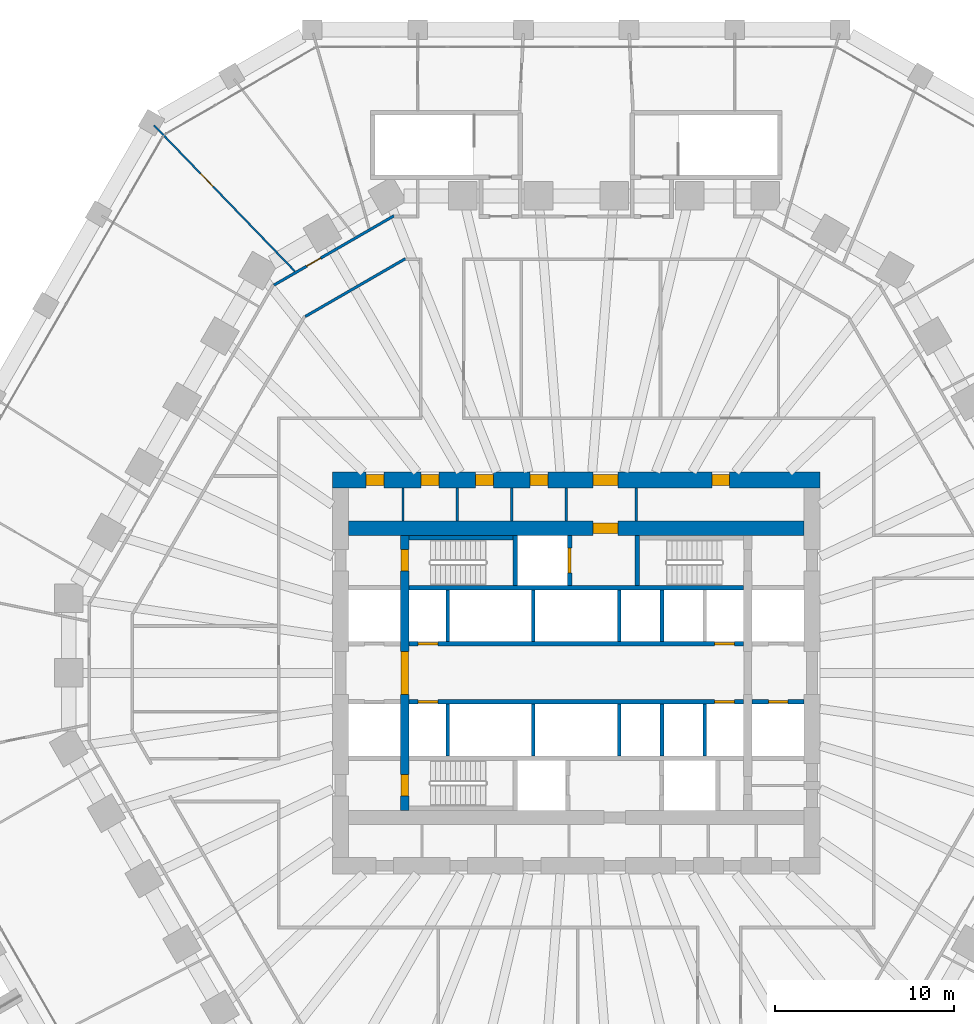
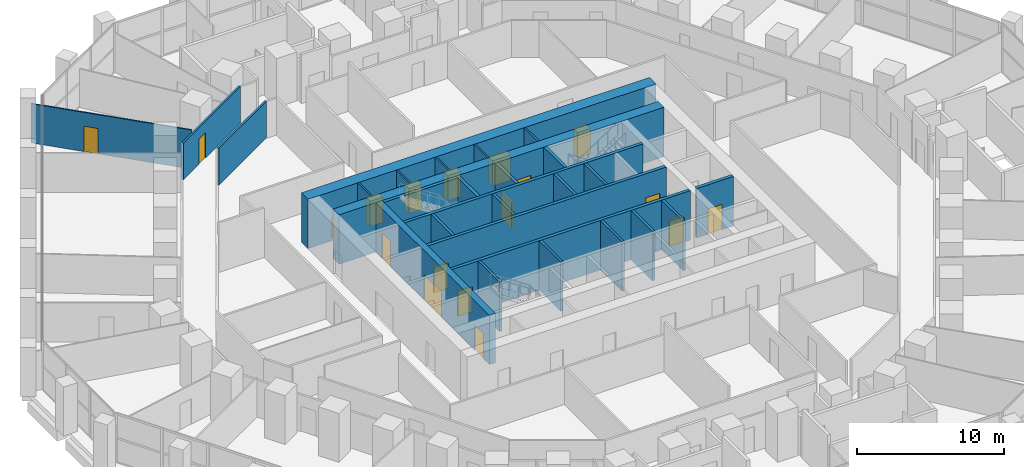
# One storey, part 22 of 38: 28 walls, 18 doors, 18 openings.
"""IFC4 building model written with IfcOpenShell, lengths in metres."""

from ifc_helpers import new_model, si_unit, direction, frame, frame_2d, origin, place, context, subcontext, project, spatial, rectangle, extrude, material, layer, layer_set, type_object, element, fill, save


model = new_model("IFC4")

# Units and contexts
model_context = context("Model", 3, precision=1e-05, world=origin(), true_north=direction((0.0, 1.0)))
body_context = subcontext(model_context, "Body", "Model", "MODEL_VIEW")
ifc_project = project(units=[si_unit("LENGTHUNIT", "METRE"), si_unit("AREAUNIT", "SQUARE_METRE"), si_unit("VOLUMEUNIT", "CUBIC_METRE"), si_unit("PLANEANGLEUNIT", "RADIAN"), si_unit("MASSUNIT", "GRAM", prefix="KILO")], contexts=[model_context])

# Site, building, storey
site_placement = place(None, origin())
site = spatial("IfcSite", under=ifc_project, at=site_placement, CompositionType="ELEMENT")
building_placement = place(site_placement, origin())
building = spatial("IfcBuilding", under=site, at=building_placement, Name="Frailejon Research Tower", CompositionType="ELEMENT")
storey_placement = place(building_placement, frame((0.0, 0.0, 10.199951171875)))
storey = spatial("IfcBuildingStorey", under=building, at=storey_placement, Name="L02", CompositionType="ELEMENT", Elevation=10.199951171875)

# Walls
ifc_material_1 = material(Name="Plasterboard on steel studs", Category="steel")
ifc_layer_1 = layer(ifc_material_1, 0.125)
ifc_layer_set_1 = layer_set([ifc_layer_1], Name="Core partition 125")
wall_type_1 = type_object("IfcWallType", Name="Core partition 125", PredefinedType="PARTITIONING", material=ifc_layer_set_1)
for number, where, z_axis, x_axis, name in (
    (1, (-9.703125, 8.5, 0.0), (0.0, 0.0, 1.0), (0.0, 1.0, 0.0), "Core partition"),
    (2, (-6.65625, 8.5, 0.0), (0.0, 0.0, 1.0), (0.0, 1.0, 0.0), "Core partition"),
    (3, (-3.609375, 8.5, 0.0), (0.0, 0.0, 1.0), (0.0, 1.0, 0.0), "Core partition"),
    (4, (-0.5625, 8.5, 0.0), (0.0, 0.0, 1.0), (0.0, 1.0, 0.0), "Core partition"),
    (5, (3.362548828125, 8.5, 0.0), (0.0, 0.0, 1.0), (0.0, 1.0, 0.0), "Core partition"),
):
    element("IfcWall", number, at=place(storey_placement, frame(where, z_axis=z_axis, x_axis=x_axis)), inside=storey, type_object=wall_type_1, Name=name, PredefinedType="PARTITIONING", context=body_context, shape_type="SweptSolid", body=[
        extrude(rectangle(XDim=1.85009765625, YDim=0.125, at=frame_2d((0.925048828125, 0.0))), origin(), (0.0, 0.0, 1.0), 4.10009765625),
    ])

# Wall, openings, doors
ifc_material_2 = material(Name="Concrete C70/85", Category="concrete")
ifc_layer_2 = layer(ifc_material_2, 0.5)
ifc_layer_set_2 = layer_set([ifc_layer_2], Name="Core shear wall 500 C70/85")
wall_type_2 = type_object("IfcWallType", Name="Core shear wall 500 C70/85", PredefinedType="SHEAR", material=ifc_layer_set_2)
wall_1_placement = place(storey_placement, frame((-9.60009765625, -7.699951171875, 0.0), z_axis=(0.0, 0.0, 1.0), x_axis=(0.0, 1.0, 0.0)))
wall_1 = element("IfcWall", 6, at=wall_1_placement, inside=storey, type_object=wall_type_2, Name="Core shear wall", PredefinedType="SHEAR", context=body_context, shape_type="SweptSolid", body=[
    extrude(rectangle(XDim=15.39990234375, YDim=0.5, at=frame_2d((7.699951171875, 0.0))), origin(), (0.0, 0.0, 1.0), 4.10009765625),
])
opening_1_placement = place(wall_1_placement, frame((6.5, 0.0, 0.0)))
opening_1 = element("IfcOpeningElement", 7, at=opening_1_placement, cuts=wall_1, Name="Opening D2", PredefinedType="OPENING", context=body_context, shape_type="SweptSolid", body=[
    extrude(rectangle(XDim=2.39990234375, YDim=2.10009765625, at=frame_2d((1.199951171875, 1.050048828125))), frame((0.0, 0.260009765625, 0.0), z_axis=(0.0, -1.0, 0.0), x_axis=(1.0, 0.0, 0.0)), (0.0, 0.0, 1.0), 0.52001953125),
])
opening_2_placement = place(wall_1_placement, frame((13.39990234375, 0.0, 0.0)))
opening_2 = element("IfcOpeningElement", 8, at=opening_2_placement, cuts=wall_1, Name="Opening D1", PredefinedType="OPENING", context=body_context, shape_type="SweptSolid", body=[
    extrude(rectangle(XDim=1.199951171875, YDim=2.10009765625, at=frame_2d((0.60009765625, 1.050048828125))), frame((0.0, 0.260009765625, 0.0), z_axis=(0.0, -1.0, 0.0), x_axis=(1.0, 0.0, 0.0)), (0.0, 0.0, 1.0), 0.52001953125),
])
opening_3_placement = place(wall_1_placement, frame((0.800048828125, 0.0, 0.0)))
opening_3 = element("IfcOpeningElement", 9, at=opening_3_placement, cuts=wall_1, Name="Opening D1", PredefinedType="OPENING", context=body_context, shape_type="SweptSolid", body=[
    extrude(rectangle(XDim=1.199951171875, YDim=2.10009765625, at=frame_2d((0.60009765625, 1.050048828125))), frame((0.0, 0.260009765625, 0.0), z_axis=(0.0, -1.0, 0.0), x_axis=(1.0, 0.0, 0.0)), (0.0, 0.0, 1.0), 0.52001953125),
])
ifc_material_3 = material(Name="Steel", Category="steel")
door_type_1 = type_object("IfcDoorType", Name="Lobby double door", OperationType="DOUBLE_DOOR_SINGLE_SWING", PredefinedType="DOOR", material=ifc_material_3)
door_1_placement = place(opening_1_placement, origin())
door_1 = element("IfcDoor", 10, at=door_1_placement, inside=storey, type_object=door_type_1, Name="Lobby door", OperationType="DOUBLE_DOOR_SINGLE_SWING", OverallHeight=2.10009765625, OverallWidth=2.39990234375, PredefinedType="DOOR", context=body_context, shape_type="SweptSolid", body=[
    extrude(rectangle(XDim=2.39990234375, YDim=2.10009765625, at=frame_2d((1.199951171875, 1.050048828125))), frame((0.0, 0.199951171875, 0.0), z_axis=(0.0, -1.0, 0.0), x_axis=(1.0, 0.0, 0.0)), (0.0, 0.0, 1.0), 0.39990234375),
])
fill(opening_1, door_1)
ifc_material_4 = material(Name="Steel", Category="steel")
door_type_2 = type_object("IfcDoorType", Name="Stair door", OperationType="SINGLE_SWING_LEFT", PredefinedType="DOOR", material=ifc_material_4)
door_2_placement = place(opening_2_placement, origin())
door_2 = element("IfcDoor", 11, at=door_2_placement, inside=storey, type_object=door_type_2, Name="Stair door ST1", OperationType="SINGLE_SWING_LEFT", OverallHeight=2.10009765625, OverallWidth=1.199951171875, PredefinedType="DOOR", context=body_context, shape_type="SweptSolid", body=[
    extrude(rectangle(XDim=1.199951171875, YDim=2.10009765625, at=frame_2d((0.60009765625, 1.050048828125))), frame((0.0, 0.199951171875, 0.0), z_axis=(0.0, -1.0, 0.0), x_axis=(1.0, 0.0, 0.0)), (0.0, 0.0, 1.0), 0.39990234375),
])
fill(opening_2, door_2)
door_3_placement = place(opening_3_placement, origin())
door_3 = element("IfcDoor", 12, at=door_3_placement, inside=storey, type_object=door_type_2, Name="Stair door ST2", OperationType="SINGLE_SWING_LEFT", OverallHeight=2.10009765625, OverallWidth=1.199951171875, PredefinedType="DOOR", context=body_context, shape_type="SweptSolid", body=[
    extrude(rectangle(XDim=1.199951171875, YDim=2.10009765625, at=frame_2d((0.60009765625, 1.050048828125))), frame((0.0, 0.199951171875, 0.0), z_axis=(0.0, -1.0, 0.0), x_axis=(1.0, 0.0, 0.0)), (0.0, 0.0, 1.0), 0.39990234375),
])
fill(opening_3, door_3)

# Wall, opening, door
ifc_material_5 = material(Name="Concrete C70/85", Category="concrete")
ifc_layer_3 = layer(ifc_material_5, 0.800048828125)
ifc_layer_set_3 = layer_set([ifc_layer_3], Name="Core shear wall 800 C70/85")
wall_type_3 = type_object("IfcWallType", Name="Core shear wall 800 C70/85", PredefinedType="SHEAR", material=ifc_layer_set_3)
wall_2_placement = place(storey_placement, frame((-12.75, 8.10009765625, 0.0), z_axis=(0.0, 0.0, 1.0), x_axis=(1.0, 0.0, 0.0)))
wall_2 = element("IfcWall", 13, at=wall_2_placement, inside=storey, type_object=wall_type_3, Name="Core shear wall", PredefinedType="SHEAR", context=body_context, shape_type="SweptSolid", body=[
    extrude(rectangle(XDim=25.5, YDim=0.800048828125, at=frame_2d((12.75, 0.0))), origin(), (0.0, 0.0, 1.0), 4.10009765625),
])
opening_4_placement = place(wall_2_placement, frame((13.675048828125, 0.0, 0.0)))
opening_4 = element("IfcOpeningElement", 14, at=opening_4_placement, cuts=wall_2, Name="Opening D9", PredefinedType="OPENING", context=body_context, shape_type="SweptSolid", body=[
    extrude(rectangle(XDim=1.39990234375, YDim=2.10009765625, at=frame_2d((0.699951171875, 1.050048828125))), frame((0.0, 0.409912109375, 0.0), z_axis=(0.0, -1.0, 0.0), x_axis=(1.0, 0.0, 0.0)), (0.0, 0.0, 1.0), 0.820068359375),
])
ifc_material_6 = material(Name="Steel", Category="steel")
door_type_3 = type_object("IfcDoorType", Name="Goods lobby door", OperationType="DOUBLE_DOOR_SINGLE_SWING", PredefinedType="DOOR", material=ifc_material_6)
door_4_placement = place(opening_4_placement, origin())
door_4 = element("IfcDoor", 15, at=door_4_placement, inside=storey, type_object=door_type_3, Name="Goods lobby door", OperationType="DOUBLE_DOOR_SINGLE_SWING", OverallHeight=2.10009765625, OverallWidth=1.39990234375, PredefinedType="DOOR", context=body_context, shape_type="SweptSolid", body=[
    extrude(rectangle(XDim=1.39990234375, YDim=2.10009765625, at=frame_2d((0.699951171875, 1.050048828125))), frame((0.0, 0.300048828125, 0.0), z_axis=(0.0, -1.0, 0.0), x_axis=(1.0, 0.0, 0.0)), (0.0, 0.0, 1.0), 0.60009765625),
])
fill(opening_4, door_4)

# Wall, openings, doors
ifc_material_7 = material(Name="Concrete C70/85", Category="concrete")
ifc_layer_4 = layer(ifc_material_7, 0.89990234375)
ifc_layer_set_4 = layer_set([ifc_layer_4], Name="Core shear wall 900 C70/85")
wall_type_4 = type_object("IfcWallType", Name="Core shear wall 900 C70/85", PredefinedType="SHEAR", material=ifc_layer_set_4)
wall_3_placement = place(storey_placement, frame((-13.64990234375, 10.800048828125, 0.0), z_axis=(0.0, 0.0, 1.0), x_axis=(1.0, 0.0, 0.0)))
wall_3 = element("IfcWall", 16, at=wall_3_placement, inside=storey, type_object=wall_type_4, Name="Core shear wall", PredefinedType="SHEAR", context=body_context, shape_type="SweptSolid", body=[
    extrude(rectangle(XDim=27.2998046875, YDim=0.89990234375, at=frame_2d((13.64990234375, 0.0))), origin(), (0.0, 0.0, 1.0), 4.10009765625),
])
opening_5_placement = place(wall_3_placement, frame((1.89208984375, 0.0, 0.0)))
opening_5 = element("IfcOpeningElement", 17, at=opening_5_placement, cuts=wall_3, Name="Opening D4", PredefinedType="OPENING", context=body_context, shape_type="SweptSolid", body=[
    extrude(rectangle(XDim=1.0, YDim=2.10009765625, at=frame_2d((0.5, 1.050048828125))), frame((0.0, 0.4599609375, 0.0), z_axis=(0.0, -1.0, 0.0), x_axis=(1.0, 0.0, 0.0)), (0.0, 0.0, 1.0), 0.919921875),
])
opening_6_placement = place(wall_3_placement, frame((4.97021484375, 0.0, 0.0)))
opening_6 = element("IfcOpeningElement", 18, at=opening_6_placement, cuts=wall_3, Name="Opening D4", PredefinedType="OPENING", context=body_context, shape_type="SweptSolid", body=[
    extrude(rectangle(XDim=1.0, YDim=2.10009765625, at=frame_2d((0.5, 1.050048828125))), frame((0.0, 0.4599609375, 0.0), z_axis=(0.0, -1.0, 0.0), x_axis=(1.0, 0.0, 0.0)), (0.0, 0.0, 1.0), 0.919921875),
])
opening_7_placement = place(wall_3_placement, frame((8.01708984375, 0.0, 0.0)))
opening_7 = element("IfcOpeningElement", 19, at=opening_7_placement, cuts=wall_3, Name="Opening D4", PredefinedType="OPENING", context=body_context, shape_type="SweptSolid", body=[
    extrude(rectangle(XDim=1.0, YDim=2.10009765625, at=frame_2d((0.5, 1.050048828125))), frame((0.0, 0.4599609375, 0.0), z_axis=(0.0, -1.0, 0.0), x_axis=(1.0, 0.0, 0.0)), (0.0, 0.0, 1.0), 0.919921875),
])
opening_8_placement = place(wall_3_placement, frame((11.064208984375, 0.0, 0.0)))
opening_8 = element("IfcOpeningElement", 20, at=opening_8_placement, cuts=wall_3, Name="Opening D4", PredefinedType="OPENING", context=body_context, shape_type="SweptSolid", body=[
    extrude(rectangle(XDim=1.0, YDim=2.10009765625, at=frame_2d((0.5, 1.050048828125))), frame((0.0, 0.4599609375, 0.0), z_axis=(0.0, -1.0, 0.0), x_axis=(1.0, 0.0, 0.0)), (0.0, 0.0, 1.0), 0.919921875),
])
opening_9_placement = place(wall_3_placement, frame((21.237548828125, 0.0, 0.0)))
opening_9 = element("IfcOpeningElement", 21, at=opening_9_placement, cuts=wall_3, Name="Opening D4", PredefinedType="OPENING", context=body_context, shape_type="SweptSolid", body=[
    extrude(rectangle(XDim=1.0, YDim=2.10009765625, at=frame_2d((0.5, 1.050048828125))), frame((0.0, 0.4599609375, 0.0), z_axis=(0.0, -1.0, 0.0), x_axis=(1.0, 0.0, 0.0)), (0.0, 0.0, 1.0), 0.919921875),
])
opening_10_placement = place(wall_3_placement, frame((14.574951171875, 0.0, 0.0)))
opening_10 = element("IfcOpeningElement", 22, at=opening_10_placement, cuts=wall_3, Name="Opening D9", PredefinedType="OPENING", context=body_context, shape_type="SweptSolid", body=[
    extrude(rectangle(XDim=1.39990234375, YDim=2.10009765625, at=frame_2d((0.699951171875, 1.050048828125))), frame((0.0, 0.4599609375, 0.0), z_axis=(0.0, -1.0, 0.0), x_axis=(1.0, 0.0, 0.0)), (0.0, 0.0, 1.0), 0.919921875),
])
door_5_placement = place(opening_10_placement, origin())
door_5 = element("IfcDoor", 23, at=door_5_placement, inside=storey, type_object=door_type_3, Name="Passage door", OperationType="DOUBLE_DOOR_SINGLE_SWING", OverallHeight=2.10009765625, OverallWidth=1.39990234375, PredefinedType="DOOR", context=body_context, shape_type="SweptSolid", body=[
    extrude(rectangle(XDim=1.39990234375, YDim=2.10009765625, at=frame_2d((0.699951171875, 1.050048828125))), frame((0.0, 0.300048828125, 0.0), z_axis=(0.0, -1.0, 0.0), x_axis=(1.0, 0.0, 0.0)), (0.0, 0.0, 1.0), 0.60009765625),
])
fill(opening_10, door_5)
ifc_material_8 = material(Name="Steel", Category="steel")
door_type_4 = type_object("IfcDoorType", Name="Service door", OperationType="SINGLE_SWING_LEFT", PredefinedType="DOOR", material=ifc_material_8)
door_6_placement = place(opening_5_placement, origin())
door_6 = element("IfcDoor", 24, at=door_6_placement, inside=storey, type_object=door_type_4, Name="Room door", OperationType="SINGLE_SWING_RIGHT", OverallHeight=2.10009765625, OverallWidth=1.0, PredefinedType="DOOR", context=body_context, shape_type="SweptSolid", body=[
    extrude(rectangle(XDim=1.0, YDim=2.10009765625, at=frame_2d((0.5, 1.050048828125))), frame((0.0, 0.300048828125, 0.0), z_axis=(0.0, -1.0, 0.0), x_axis=(1.0, 0.0, 0.0)), (0.0, 0.0, 1.0), 0.60009765625),
])
fill(opening_5, door_6)
door_7_placement = place(opening_6_placement, origin())
door_7 = element("IfcDoor", 25, at=door_7_placement, inside=storey, type_object=door_type_4, Name="Room door", OperationType="SINGLE_SWING_LEFT", OverallHeight=2.10009765625, OverallWidth=1.0, PredefinedType="DOOR", context=body_context, shape_type="SweptSolid", body=[
    extrude(rectangle(XDim=1.0, YDim=2.10009765625, at=frame_2d((0.5, 1.050048828125))), frame((0.0, 0.300048828125, 0.0), z_axis=(0.0, -1.0, 0.0), x_axis=(1.0, 0.0, 0.0)), (0.0, 0.0, 1.0), 0.60009765625),
])
fill(opening_6, door_7)
door_8_placement = place(opening_7_placement, origin())
door_8 = element("IfcDoor", 26, at=door_8_placement, inside=storey, type_object=door_type_4, Name="Room door", OperationType="SINGLE_SWING_RIGHT", OverallHeight=2.10009765625, OverallWidth=1.0, PredefinedType="DOOR", context=body_context, shape_type="SweptSolid", body=[
    extrude(rectangle(XDim=1.0, YDim=2.10009765625, at=frame_2d((0.5, 1.050048828125))), frame((0.0, 0.300048828125, 0.0), z_axis=(0.0, -1.0, 0.0), x_axis=(1.0, 0.0, 0.0)), (0.0, 0.0, 1.0), 0.60009765625),
])
fill(opening_7, door_8)
door_9_placement = place(opening_8_placement, origin())
door_9 = element("IfcDoor", 27, at=door_9_placement, inside=storey, type_object=door_type_4, Name="Room door", OperationType="SINGLE_SWING_LEFT", OverallHeight=2.10009765625, OverallWidth=1.0, PredefinedType="DOOR", context=body_context, shape_type="SweptSolid", body=[
    extrude(rectangle(XDim=1.0, YDim=2.10009765625, at=frame_2d((0.5, 1.050048828125))), frame((0.0, 0.300048828125, 0.0), z_axis=(0.0, -1.0, 0.0), x_axis=(1.0, 0.0, 0.0)), (0.0, 0.0, 1.0), 0.60009765625),
])
fill(opening_8, door_9)
door_10_placement = place(opening_9_placement, origin())
door_10 = element("IfcDoor", 28, at=door_10_placement, inside=storey, type_object=door_type_4, Name="Room door", OperationType="SINGLE_SWING_RIGHT", OverallHeight=2.10009765625, OverallWidth=1.0, PredefinedType="DOOR", context=body_context, shape_type="SweptSolid", body=[
    extrude(rectangle(XDim=1.0, YDim=2.10009765625, at=frame_2d((0.5, 1.050048828125))), frame((0.0, 0.300048828125, 0.0), z_axis=(0.0, -1.0, 0.0), x_axis=(1.0, 0.0, 0.0)), (0.0, 0.0, 1.0), 0.60009765625),
])
fill(opening_9, door_10)

# Wall, opening, door
ifc_material_9 = material(Name="Gypsum board and masonry partition", Category="masonry")
ifc_layer_5 = layer(ifc_material_9, 0.14990234375)
ifc_layer_set_5 = layer_set([ifc_layer_5], Name="Corridor wall EI 60, gypsum on steel studs 150")
wall_type_5 = type_object("IfcWallType", Name="Corridor wall EI 60, gypsum on steel studs 150", PredefinedType="PARTITIONING", material=ifc_layer_set_5)
wall_4_placement = place(storey_placement, frame((-16.926025390625, 21.7080078125, 0.0), z_axis=(0.0, 0.0, 1.0), x_axis=(0.866023143435, 0.50000391502, 0.0)))
wall_4 = element("IfcWall", 29, at=wall_4_placement, inside=storey, type_object=wall_type_5, Name="T:IW:L02:017", PredefinedType="PARTITIONING", context=body_context, shape_type="SweptSolid", body=[
    extrude(rectangle(XDim=7.7587890625, YDim=0.14990234375, at=frame_2d((3.87939453125, 0.0))), origin(), (0.0, 0.0, 1.0), 3.050048828125),
])
opening_11_placement = place(wall_4_placement, frame((2.116943359375, 0.0, 0.0)))
opening_11 = element("IfcOpeningElement", 30, at=opening_11_placement, cuts=wall_4, Name="Opening D1071", PredefinedType="OPENING", context=body_context, shape_type="SweptSolid", body=[
    extrude(rectangle(XDim=0.89990234375, YDim=2.10009765625, at=frame_2d((0.449951171875, 1.050048828125))), frame((0.0, 0.0849609375, 0.0), z_axis=(0.0, -1.0, 0.0), x_axis=(1.0, 0.0, 0.0)), (0.0, 0.0, 1.0), 0.169921875),
])
ifc_material_10 = material(Name="Timber door leaf", Category="wood")
door_type_5 = type_object("IfcDoorType", Name="Door single leaf, timber, steel frame 900", OperationType="NOTDEFINED", PredefinedType="DOOR", material=ifc_material_10)
door_11_placement = place(opening_11_placement, origin())
door_11 = element("IfcDoor", 31, at=door_11_placement, inside=storey, type_object=door_type_5, Name="D1071", OperationType="SINGLE_SWING_RIGHT", OverallHeight=2.10009765625, OverallWidth=0.89990234375, PredefinedType="DOOR", context=body_context, shape_type="SweptSolid", body=[
    extrude(rectangle(XDim=0.89990234375, YDim=2.10009765625, at=frame_2d((0.449951171875, 1.050048828125))), frame((0.0, 0.02490234375, 0.0), z_axis=(0.0, -1.0, 0.0), x_axis=(1.0, 0.0, 0.0)), (0.0, 0.0, 1.0), 0.050048828125),
])
fill(opening_11, door_11)

# Wall
wall_5_placement = place(storey_placement, frame((-15.169189453125, 19.951171875, 0.0), z_axis=(0.0, 0.0, 1.0), x_axis=(0.866024786089, 0.500001069878, 0.0)))
element("IfcWall", 32, at=wall_5_placement, inside=storey, type_object=wall_type_5, Name="T:IW:L02:020", PredefinedType="PARTITIONING", context=body_context, shape_type="SweptSolid", body=[
    extrude(rectangle(XDim=6.47265625, YDim=0.14990234375, at=frame_2d((3.236328125, 0.0))), origin(), (0.0, 0.0, 1.0), 3.050048828125),
])

# Wall, opening, door
ifc_material_11 = material(Name="Gypsum board and masonry partition", Category="masonry")
ifc_layer_6 = layer(ifc_material_11, 0.10009765625)
ifc_layer_set_6 = layer_set([ifc_layer_6], Name="Partition, gypsum on steel studs 100")
wall_type_6 = type_object("IfcWallType", Name="Partition, gypsum on steel studs 100", PredefinedType="PARTITIONING", material=ifc_layer_set_6)
wall_6_placement = place(storey_placement, frame((-23.64013671875, 30.654052734375, 0.0), z_axis=(0.0, 0.0, 1.0), x_axis=(0.694530893364, -0.719462881713, 0.0)))
wall_6 = element("IfcWall", 33, at=wall_6_placement, inside=storey, type_object=wall_type_6, Name="T:IW:L02:091", PredefinedType="PARTITIONING", context=body_context, shape_type="SweptSolid", body=[
    extrude(rectangle(XDim=11.368896484375, YDim=0.10009765625, at=frame_2d((5.6845703125, 0.0))), origin(), (0.0, 0.0, 1.0), 3.25),
])
opening_12_placement = place(wall_6_placement, frame((3.760498046875, 0.0, 0.0)))
opening_12 = element("IfcOpeningElement", 34, at=opening_12_placement, cuts=wall_6, Name="Opening D1073", PredefinedType="OPENING", context=body_context, shape_type="SweptSolid", body=[
    extrude(rectangle(XDim=1.0, YDim=2.10009765625, at=frame_2d((0.5, 1.050048828125))), frame((0.0, 0.06005859375, 0.0), z_axis=(0.0, -1.0, 0.0), x_axis=(1.0, 0.0, 0.0)), (0.0, 0.0, 1.0), 0.1201171875),
])
ifc_material_12 = material(Name="Timber door leaf", Category="wood")
door_type_6 = type_object("IfcDoorType", Name="Door single leaf, timber, steel frame 1000", OperationType="NOTDEFINED", PredefinedType="DOOR", material=ifc_material_12)
door_12_placement = place(opening_12_placement, origin())
door_12 = element("IfcDoor", 35, at=door_12_placement, inside=storey, type_object=door_type_6, Name="D1073", OperationType="SINGLE_SWING_RIGHT", OverallHeight=2.10009765625, OverallWidth=1.0, PredefinedType="DOOR", context=body_context, shape_type="SweptSolid", body=[
    extrude(rectangle(XDim=1.0, YDim=2.10009765625, at=frame_2d((0.5, 1.050048828125))), frame((0.0, 0.02490234375, 0.0), z_axis=(0.0, -1.0, 0.0), x_axis=(1.0, 0.0, 0.0)), (0.0, 0.0, 1.0), 0.050048828125),
])
fill(opening_12, door_12)

# Walls
ifc_material_13 = material(Name="Concrete C70/85", Category="concrete")
ifc_layer_7 = layer(ifc_material_13, 0.199951171875)
ifc_layer_set_7 = layer_set([ifc_layer_7], Name="Shaft wall 200 C70/85")
wall_type_7 = type_object("IfcWallType", Name="Shaft wall 200 C70/85", PredefinedType="SOLIDWALL", material=ifc_layer_set_7)
for number, where, z_axis, x_axis, name in (
    (36, (-7.199951171875, 1.75, 0.0), (0.0, 0.0, 1.0), (0.0, 1.0, 0.0), "Shaft wall"),
    (37, (-2.39990234375, 1.75, 0.0), (0.0, 0.0, 1.0), (0.0, 1.0, 0.0), "Shaft wall"),
    (38, (2.39990234375, 1.75, 0.0), (0.0, 0.0, 1.0), (0.0, 1.0, 0.0), "Shaft wall"),
    (39, (4.800048828125, 1.75, 0.0), (0.0, 0.0, 1.0), (0.0, 1.0, 0.0), "Shaft wall"),
    (40, (-7.199951171875, -4.64990234375, 0.0), (0.0, 0.0, 1.0), (0.0, 1.0, 0.0), "Shaft wall"),
    (41, (-2.39990234375, -4.64990234375, 0.0), (0.0, 0.0, 1.0), (0.0, 1.0, 0.0), "Shaft wall"),
    (42, (2.39990234375, -4.64990234375, 0.0), (0.0, 0.0, 1.0), (0.0, 1.0, 0.0), "Shaft wall"),
    (43, (4.800048828125, -4.64990234375, 0.0), (0.0, 0.0, 1.0), (0.0, 1.0, 0.0), "Shaft wall"),
    (44, (7.199951171875, -4.64990234375, 0.0), (0.0, 0.0, 1.0), (0.0, 1.0, 0.0), "Shaft wall"),
):
    element("IfcWall", number, at=place(storey_placement, frame(where, z_axis=z_axis, x_axis=x_axis)), inside=storey, type_object=wall_type_7, Name=name, PredefinedType="SOLIDWALL", context=body_context, shape_type="SweptSolid", body=[
        extrude(rectangle(XDim=2.89990234375, YDim=0.199951171875, at=frame_2d((1.449951171875, 0.0))), origin(), (0.0, 0.0, 1.0), 4.10009765625),
    ])

# Wall, openings, doors
ifc_material_14 = material(Name="Concrete C70/85", Category="concrete")
ifc_layer_8 = layer(ifc_material_14, 0.25)
ifc_layer_set_8 = layer_set([ifc_layer_8], Name="Shaft wall 250 C70/85")
wall_type_8 = type_object("IfcWallType", Name="Shaft wall 250 C70/85", PredefinedType="SOLIDWALL", material=ifc_layer_set_8)
wall_7_placement = place(storey_placement, frame((-9.35009765625, 1.625, 0.0), z_axis=(0.0, 0.0, 1.0), x_axis=(1.0, 0.0, 0.0)))
wall_7 = element("IfcWall", 45, at=wall_7_placement, inside=storey, type_object=wall_type_8, Name="Shaft wall", PredefinedType="SOLIDWALL", context=body_context, shape_type="SweptSolid", body=[
    extrude(rectangle(XDim=18.7001953125, YDim=0.25, at=frame_2d((9.35009765625, 0.0))), origin(), (0.0, 0.0, 1.0), 4.10009765625),
])
opening_13_placement = place(wall_7_placement, frame((0.5, 0.0, 0.0)))
opening_13 = element("IfcOpeningElement", 46, at=opening_13_placement, cuts=wall_7, Name="Opening LD", PredefinedType="OPENING", context=body_context, shape_type="SweptSolid", body=[
    extrude(rectangle(XDim=1.10009765625, YDim=2.10009765625, at=frame_2d((0.550048828125, 1.050048828125))), frame((0.0, 0.135009765625, 0.0), z_axis=(0.0, -1.0, 0.0), x_axis=(1.0, 0.0, 0.0)), (0.0, 0.0, 1.0), 0.27001953125),
])
opening_14_placement = place(wall_7_placement, frame((17.10009765625, 0.0, 0.0)))
opening_14 = element("IfcOpeningElement", 47, at=opening_14_placement, cuts=wall_7, Name="Opening LD", PredefinedType="OPENING", context=body_context, shape_type="SweptSolid", body=[
    extrude(rectangle(XDim=1.10009765625, YDim=2.10009765625, at=frame_2d((0.550048828125, 1.050048828125))), frame((0.0, 0.135009765625, 0.0), z_axis=(0.0, -1.0, 0.0), x_axis=(1.0, 0.0, 0.0)), (0.0, 0.0, 1.0), 0.27001953125),
])
ifc_material_15 = material(Name="Steel", Category="steel")
door_type_7 = type_object("IfcDoorType", Name="Lift landing door", OperationType="DOUBLE_DOOR_SLIDING", PredefinedType="DOOR", material=ifc_material_15)
door_13_placement = place(opening_13_placement, origin())
door_13 = element("IfcDoor", 48, at=door_13_placement, inside=storey, type_object=door_type_7, Name="Lift landing door", OperationType="DOUBLE_DOOR_SLIDING", OverallHeight=2.10009765625, OverallWidth=1.10009765625, PredefinedType="DOOR", context=body_context, shape_type="SweptSolid", body=[
    extrude(rectangle(XDim=1.10009765625, YDim=2.10009765625, at=frame_2d((0.550048828125, 1.050048828125))), frame((0.0, 0.074951171875, 0.0), z_axis=(0.0, -1.0, 0.0), x_axis=(1.0, 0.0, 0.0)), (0.0, 0.0, 1.0), 0.14990234375),
])
fill(opening_13, door_13)
door_14_placement = place(opening_14_placement, origin())
door_14 = element("IfcDoor", 49, at=door_14_placement, inside=storey, type_object=door_type_7, Name="Lift landing door", OperationType="DOUBLE_DOOR_SLIDING", OverallHeight=2.10009765625, OverallWidth=1.10009765625, PredefinedType="DOOR", context=body_context, shape_type="SweptSolid", body=[
    extrude(rectangle(XDim=1.10009765625, YDim=2.10009765625, at=frame_2d((0.550048828125, 1.050048828125))), frame((0.0, 0.074951171875, 0.0), z_axis=(0.0, -1.0, 0.0), x_axis=(1.0, 0.0, 0.0)), (0.0, 0.0, 1.0), 0.14990234375),
])
fill(opening_14, door_14)

# Wall
wall_8_placement = place(storey_placement, frame((-9.35009765625, 4.77490234375, 0.0), z_axis=(0.0, 0.0, 1.0), x_axis=(1.0, 0.0, 0.0)))
element("IfcWall", 50, at=wall_8_placement, inside=storey, type_object=wall_type_8, Name="Shaft wall", PredefinedType="SOLIDWALL", context=body_context, shape_type="SweptSolid", body=[
    extrude(rectangle(XDim=18.7001953125, YDim=0.25, at=frame_2d((9.35009765625, 0.0))), origin(), (0.0, 0.0, 1.0), 4.10009765625),
])

# Wall, openings, doors
wall_9_placement = place(storey_placement, frame((-9.35009765625, -1.625, 0.0), z_axis=(0.0, 0.0, 1.0), x_axis=(1.0, 0.0, 0.0)))
wall_9 = element("IfcWall", 51, at=wall_9_placement, inside=storey, type_object=wall_type_8, Name="Shaft wall", PredefinedType="SOLIDWALL", context=body_context, shape_type="SweptSolid", body=[
    extrude(rectangle(XDim=18.7001953125, YDim=0.25, at=frame_2d((9.35009765625, 0.0))), origin(), (0.0, 0.0, 1.0), 4.10009765625),
])
opening_15_placement = place(wall_9_placement, frame((0.5, 0.0, 0.0)))
opening_15 = element("IfcOpeningElement", 52, at=opening_15_placement, cuts=wall_9, Name="Opening LD", PredefinedType="OPENING", context=body_context, shape_type="SweptSolid", body=[
    extrude(rectangle(XDim=1.10009765625, YDim=2.10009765625, at=frame_2d((0.550048828125, 1.050048828125))), frame((0.0, 0.135009765625, 0.0), z_axis=(0.0, -1.0, 0.0), x_axis=(1.0, 0.0, 0.0)), (0.0, 0.0, 1.0), 0.27001953125),
])
opening_16_placement = place(wall_9_placement, frame((17.10009765625, 0.0, 0.0)))
opening_16 = element("IfcOpeningElement", 53, at=opening_16_placement, cuts=wall_9, Name="Opening LD", PredefinedType="OPENING", context=body_context, shape_type="SweptSolid", body=[
    extrude(rectangle(XDim=1.10009765625, YDim=2.10009765625, at=frame_2d((0.550048828125, 1.050048828125))), frame((0.0, 0.135009765625, 0.0), z_axis=(0.0, -1.0, 0.0), x_axis=(1.0, 0.0, 0.0)), (0.0, 0.0, 1.0), 0.27001953125),
])
door_15_placement = place(opening_15_placement, origin())
door_15 = element("IfcDoor", 54, at=door_15_placement, inside=storey, type_object=door_type_7, Name="Lift landing door", OperationType="DOUBLE_DOOR_SLIDING", OverallHeight=2.10009765625, OverallWidth=1.10009765625, PredefinedType="DOOR", context=body_context, shape_type="SweptSolid", body=[
    extrude(rectangle(XDim=1.10009765625, YDim=2.10009765625, at=frame_2d((0.550048828125, 1.050048828125))), frame((0.0, 0.074951171875, 0.0), z_axis=(0.0, -1.0, 0.0), x_axis=(1.0, 0.0, 0.0)), (0.0, 0.0, 1.0), 0.14990234375),
])
fill(opening_15, door_15)
door_16_placement = place(opening_16_placement, origin())
door_16 = element("IfcDoor", 55, at=door_16_placement, inside=storey, type_object=door_type_7, Name="Lift landing door", OperationType="DOUBLE_DOOR_SLIDING", OverallHeight=2.10009765625, OverallWidth=1.10009765625, PredefinedType="DOOR", context=body_context, shape_type="SweptSolid", body=[
    extrude(rectangle(XDim=1.10009765625, YDim=2.10009765625, at=frame_2d((0.550048828125, 1.050048828125))), frame((0.0, 0.074951171875, 0.0), z_axis=(0.0, -1.0, 0.0), x_axis=(1.0, 0.0, 0.0)), (0.0, 0.0, 1.0), 0.14990234375),
])
fill(opening_16, door_16)

# Wall, opening, door
wall_10_placement = place(storey_placement, frame((9.85009765625, -1.625, 0.0), z_axis=(0.0, 0.0, 1.0), x_axis=(1.0, 0.0, 0.0)))
wall_10 = element("IfcWall", 56, at=wall_10_placement, inside=storey, type_object=wall_type_8, Name="Shaft wall", PredefinedType="SOLIDWALL", context=body_context, shape_type="SweptSolid", body=[
    extrude(rectangle(XDim=2.89990234375, YDim=0.25, at=frame_2d((1.449951171875, 0.0))), origin(), (0.0, 0.0, 1.0), 4.10009765625),
])
opening_17_placement = place(wall_10_placement, frame((0.89990234375, 0.0, 0.0)))
opening_17 = element("IfcOpeningElement", 57, at=opening_17_placement, cuts=wall_10, Name="Opening LD", PredefinedType="OPENING", context=body_context, shape_type="SweptSolid", body=[
    extrude(rectangle(XDim=1.10009765625, YDim=2.10009765625, at=frame_2d((0.550048828125, 1.050048828125))), frame((0.0, 0.135009765625, 0.0), z_axis=(0.0, -1.0, 0.0), x_axis=(1.0, 0.0, 0.0)), (0.0, 0.0, 1.0), 0.27001953125),
])
door_17_placement = place(opening_17_placement, origin())
door_17 = element("IfcDoor", 58, at=door_17_placement, inside=storey, type_object=door_type_7, Name="Lift landing door", OperationType="DOUBLE_DOOR_SLIDING", OverallHeight=2.10009765625, OverallWidth=1.10009765625, PredefinedType="DOOR", context=body_context, shape_type="SweptSolid", body=[
    extrude(rectangle(XDim=1.10009765625, YDim=2.10009765625, at=frame_2d((0.550048828125, 1.050048828125))), frame((0.0, 0.074951171875, 0.0), z_axis=(0.0, -1.0, 0.0), x_axis=(1.0, 0.0, 0.0)), (0.0, 0.0, 1.0), 0.14990234375),
])
fill(opening_17, door_17)

# Walls
wall_11_placement = place(storey_placement, frame((-9.35009765625, 7.574951171875, 0.0), z_axis=(0.0, 0.0, 1.0), x_axis=(1.0, 0.0, 0.0)))
element("IfcWall", 59, at=wall_11_placement, inside=storey, type_object=wall_type_8, Name="Shaft wall", PredefinedType="SOLIDWALL", context=body_context, shape_type="SweptSolid", body=[
    extrude(rectangle(XDim=5.800048828125, YDim=0.25, at=frame_2d((2.89990234375, 0.0))), origin(), (0.0, 0.0, 1.0), 4.10009765625),
])
wall_12_placement = place(storey_placement, frame((-3.425048828125, 4.89990234375, 0.0), z_axis=(0.0, 0.0, 1.0), x_axis=(0.0, 1.0, 0.0)))
element("IfcWall", 60, at=wall_12_placement, inside=storey, type_object=wall_type_8, Name="Shaft wall", PredefinedType="SOLIDWALL", context=body_context, shape_type="SweptSolid", body=[
    extrude(rectangle(XDim=2.800048828125, YDim=0.25, at=frame_2d((1.39990234375, 0.0))), origin(), (0.0, 0.0, 1.0), 4.10009765625),
])

# Wall, opening, door
wall_13_placement = place(storey_placement, frame((-0.375, 4.89990234375, 0.0), z_axis=(0.0, 0.0, 1.0), x_axis=(0.0, 1.0, 0.0)))
wall_13 = element("IfcWall", 61, at=wall_13_placement, inside=storey, type_object=wall_type_8, Name="Shaft wall", PredefinedType="SOLIDWALL", context=body_context, shape_type="SweptSolid", body=[
    extrude(rectangle(XDim=2.800048828125, YDim=0.25, at=frame_2d((1.39990234375, 0.0))), origin(), (0.0, 0.0, 1.0), 4.10009765625),
])
opening_18_placement = place(wall_13_placement, frame((0.699951171875, 0.0, 0.0)))
opening_18 = element("IfcOpeningElement", 62, at=opening_18_placement, cuts=wall_13, Name="Opening LD2", PredefinedType="OPENING", context=body_context, shape_type="SweptSolid", body=[
    extrude(rectangle(XDim=1.39990234375, YDim=2.10009765625, at=frame_2d((0.699951171875, 1.050048828125))), frame((0.0, 0.135009765625, 0.0), z_axis=(0.0, -1.0, 0.0), x_axis=(1.0, 0.0, 0.0)), (0.0, 0.0, 1.0), 0.27001953125),
])
ifc_material_16 = material(Name="Stainless steel", Category="steel")
door_type_8 = type_object("IfcDoorType", Name="Goods landing door", OperationType="DOUBLE_DOOR_SLIDING", PredefinedType="DOOR", material=ifc_material_16)
door_18_placement = place(opening_18_placement, origin())
door_18 = element("IfcDoor", 63, at=door_18_placement, inside=storey, type_object=door_type_8, Name="Lift landing door", OperationType="DOUBLE_DOOR_SLIDING", OverallHeight=2.10009765625, OverallWidth=1.39990234375, PredefinedType="DOOR", context=body_context, shape_type="SweptSolid", body=[
    extrude(rectangle(XDim=1.39990234375, YDim=2.10009765625, at=frame_2d((0.699951171875, 1.050048828125))), frame((0.0, 0.074951171875, 0.0), z_axis=(0.0, -1.0, 0.0), x_axis=(1.0, 0.0, 0.0)), (0.0, 0.0, 1.0), 0.14990234375),
])
fill(opening_18, door_18)

# Wall
wall_14_placement = place(storey_placement, frame((3.425048828125, 4.89990234375, 0.0), z_axis=(0.0, 0.0, 1.0), x_axis=(0.0, 1.0, 0.0)))
element("IfcWall", 64, at=wall_14_placement, inside=storey, type_object=wall_type_8, Name="Shaft wall", PredefinedType="SOLIDWALL", context=body_context, shape_type="SweptSolid", body=[
    extrude(rectangle(XDim=2.800048828125, YDim=0.25, at=frame_2d((1.39990234375, 0.0))), origin(), (0.0, 0.0, 1.0), 4.10009765625),
])

save(model, "model.ifc")
